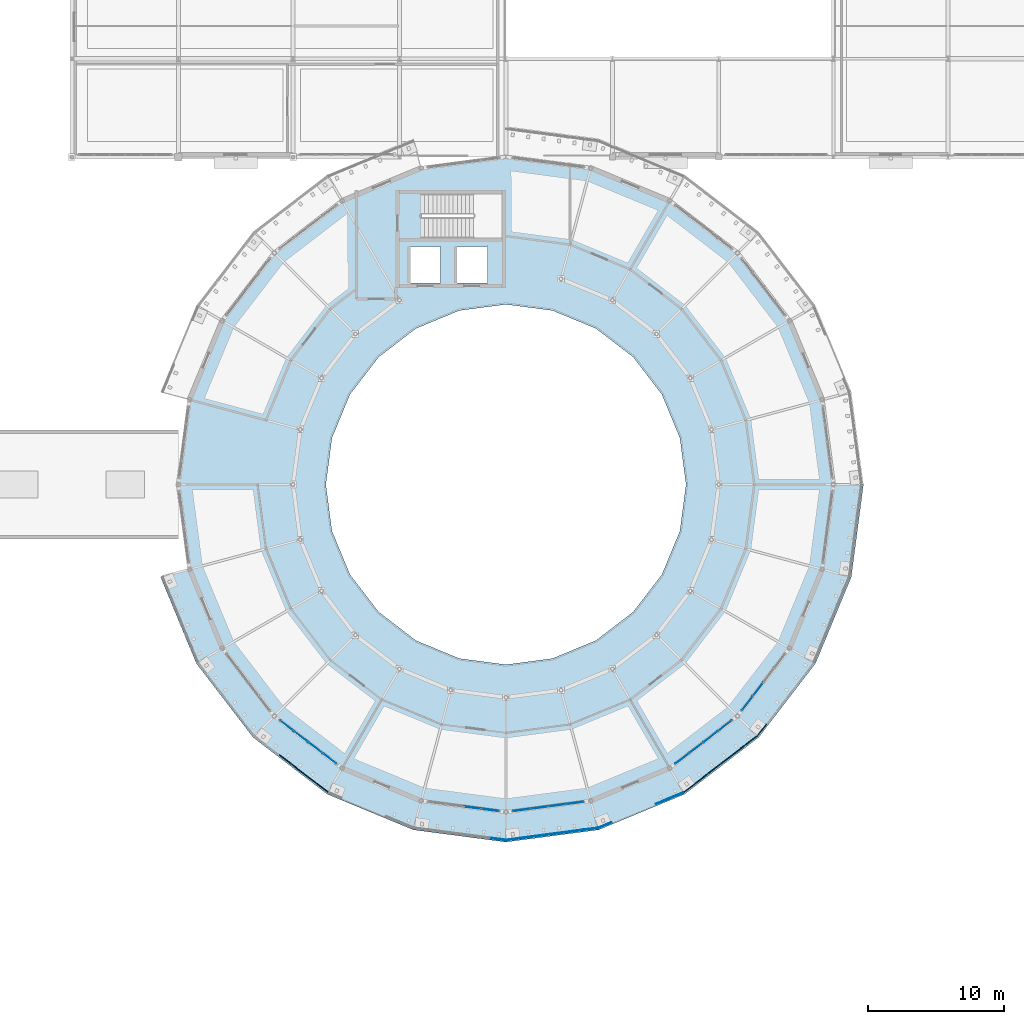
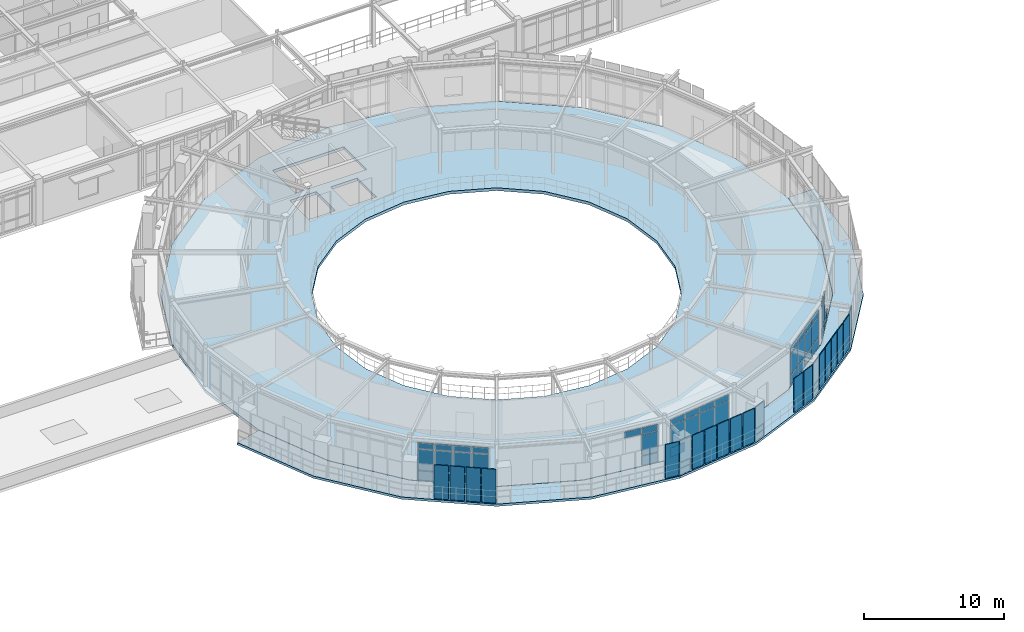
# One storey, part 43 of 70: 65 plates, 3 slabs, 5 elements without a shape of their own.
"""IFC4 building model written with IfcOpenShell, lengths in metres."""

import ifcopenshell
import ifcopenshell.guid

model = None  # the IFC model being written
_history = None  # IfcOwnerHistory: only IFC2X3 demands one
_inside = {}  # id of a spatial element -> (the spatial element, [elements in it])
_under = {}  # id of a project, library or spatial element -> (it, [spatial elements below it])
_declared = {}  # id of a project -> (the project, [libraries it declares])
_typed = {}  # id of a type object -> (the type object, [elements of that type])
_made_of = {}  # id of a material, layer set ... -> (it, [elements and type objects made of it])


def new_model(schema):
    """Start an empty IFC model of exactly this schema.

    Asked for "IFC4X3", IfcOpenShell would pick the latest addendum, in which some entities
    have other attributes; the version numbers below select the first issue.
    IFC2X3 requires an IfcOwnerHistory on every rooted entity: one is made here for all.
    """
    global model, _history
    if schema == "IFC4X3":
        model = ifcopenshell.file(schema_version=(4, 3, 0, 0))
    else:
        model = ifcopenshell.file(schema=schema)
    _inside.clear()
    _under.clear()
    _declared.clear()
    _typed.clear()
    _made_of.clear()
    _history = None
    if model.schema == "IFC2X3":
        org = make("IfcOrganization", Name="unknown")
        user = make(
            "IfcPersonAndOrganization",
            ThePerson=make("IfcPerson", FamilyName="unknown"),
            TheOrganization=org,
        )
        app = make(
            "IfcApplication",
            ApplicationDeveloper=org,
            Version="unknown",
            ApplicationFullName="unknown",
            ApplicationIdentifier="unknown",
        )
        _history = make(
            "IfcOwnerHistory",
            OwningUser=user,
            OwningApplication=app,
            ChangeAction="ADDED",
            CreationDate=0,
        )
    return model


def make(cls, **values):
    """One entity of the class cls with the attributes given. An attribute that is None is left unset."""
    return model.create_entity(
        cls, **{name: value for name, value in values.items() if value is not None}
    )


def rooted(cls, **values):
    """An entity with a GlobalId (a new one), such as an element, a storey or a relation."""
    return make(cls, GlobalId=ifcopenshell.guid.new(), OwnerHistory=_history, **values)


def si_unit(unit_type, name, prefix=None):
    """IfcSIUnit, for example si_unit("LENGTHUNIT", "METRE", prefix="MILLI")."""
    return make("IfcSIUnit", UnitType=unit_type, Prefix=prefix, Name=name)


def derived_unit(unit_type, elements):
    """IfcDerivedUnit: a product of units, each with its exponent."""
    return make(
        "IfcDerivedUnit",
        Elements=[
            make("IfcDerivedUnitElement", Unit=unit, Exponent=power)
            for unit, power in elements
        ],
        UnitType=unit_type,
    )


def assignment(units):
    """IfcUnitAssignment: the units of a project."""
    return None if units is None else make("IfcUnitAssignment", Units=units)


def point(xyz):
    """IfcCartesianPoint."""
    return None if xyz is None else make("IfcCartesianPoint", Coordinates=xyz)


def direction(xyz):
    """IfcDirection."""
    return None if xyz is None else make("IfcDirection", DirectionRatios=xyz)


def frame(location, z_axis=None, x_axis=None):
    """IfcAxis2Placement3D, a coordinate frame: its origin and axes. An axis left out is left unset."""
    return make(
        "IfcAxis2Placement3D",
        Location=point(location),
        Axis=direction(z_axis),
        RefDirection=direction(x_axis),
    )


def frame_2d(location, x_axis=None):
    """IfcAxis2Placement2D, a coordinate frame in the plane: its origin and x axis."""
    return make(
        "IfcAxis2Placement2D", Location=point(location), RefDirection=direction(x_axis)
    )


def origin():
    """The frame at (0, 0, 0) with its axes left unset."""
    return frame((0.0, 0.0, 0.0))


def origin_2d():
    """The frame at (0, 0) in the plane with its x axis left unset."""
    return frame_2d((0.0, 0.0))


def place(relative_to, where):
    """IfcLocalPlacement: puts the frame where relative to a parent placement (None: the world)."""
    return make(
        "IfcLocalPlacement", PlacementRelTo=relative_to, RelativePlacement=where
    )


def context(
    kind, dimensions, precision=None, world=None, true_north=None, identifier=None
):
    """IfcGeometricRepresentationContext, for example the 3D "Model" context."""
    return make(
        "IfcGeometricRepresentationContext",
        ContextIdentifier=identifier,
        ContextType=kind,
        CoordinateSpaceDimension=dimensions,
        Precision=precision,
        WorldCoordinateSystem=world,
        TrueNorth=true_north,
    )


def subcontext(parent, identifier, kind, view, scale=None):
    """IfcGeometricRepresentationSubContext, for example "Body" below "Model"."""
    return make(
        "IfcGeometricRepresentationSubContext",
        ContextIdentifier=identifier,
        ContextType=kind,
        ParentContext=parent,
        TargetScale=scale,
        TargetView=view,
    )


def project(units=None, contexts=None):
    """IfcProject with its units and contexts."""
    return rooted(
        "IfcProject",
        Name="project",
        RepresentationContexts=contexts,
        UnitsInContext=assignment(units),
    )


def spatial(cls, under=None, at=None, **own):
    """A site, building, storey or space (cls), placed at a placement, below another one or the project."""
    s = rooted(cls, ObjectPlacement=at, **own)
    if under is not None:
        _under.setdefault(under.id(), (under, []))[1].append(s)
    return s


def polyline(points):
    """IfcPolyline through the points."""
    return make("IfcPolyline", Points=[point(p) for p in points])


def profile(cls, at=None, kind="AREA", **sizes):
    """A parametric profile (cls). Its sizes go by their IFC names, for example OverallWidth=200.0."""
    return make(cls, ProfileType=kind, Position=at, **sizes)


def rectangle(**sizes):
    """IfcRectangleProfileDef."""
    return profile("IfcRectangleProfileDef", **sizes)


def outline(outer, holes=None, kind="AREA"):
    """IfcArbitraryClosedProfileDef: a profile drawn as a closed curve; with holes, ...WithVoids."""
    if holes is None:
        return make("IfcArbitraryClosedProfileDef", ProfileType=kind, OuterCurve=outer)
    return make(
        "IfcArbitraryProfileDefWithVoids",
        ProfileType=kind,
        OuterCurve=outer,
        InnerCurves=holes,
    )


def extrude(swept, where, along, depth):
    """IfcExtrudedAreaSolid: the profile swept, set in the frame where, extruded along a direction by depth."""
    return make(
        "IfcExtrudedAreaSolid",
        SweptArea=swept,
        Position=where,
        ExtrudedDirection=direction(along),
        Depth=depth,
    )


def shape(context_of_items, identifier, shape_type, items):
    """IfcShapeRepresentation: the items that make up one representation, for example the "Body"."""
    return make(
        "IfcShapeRepresentation",
        ContextOfItems=context_of_items,
        RepresentationIdentifier=identifier,
        RepresentationType=shape_type,
        Items=items,
    )


def material(Name=None, Category=None):
    """IfcMaterial."""
    return make("IfcMaterial", Name=Name, Category=Category)


def layer(
    of_material, thickness, ventilated=None, Name=None, Category=None, Priority=None
):
    """IfcMaterialLayer: one layer of a wall or slab, of a material (None: an air gap)."""
    return make(
        "IfcMaterialLayer",
        Material=of_material,
        LayerThickness=thickness,
        IsVentilated=ventilated,
        Name=Name,
        Category=Category,
        Priority=Priority,
    )


def layer_set(layers, Name=None):
    """IfcMaterialLayerSet."""
    return make("IfcMaterialLayerSet", MaterialLayers=layers, LayerSetName=Name)


def made_of(thing, what):
    """Note that an element or type object is made of a material, layer set ...; save() writes the relation."""
    if what is not None:
        _made_of.setdefault(what.id(), (what, []))[1].append(thing)
    return thing


def type_object(cls, material=None, **own):
    """A type object (cls), such as IfcWallType, which elements share."""
    return made_of(rooted(cls, **own), material)


def element(
    cls,
    number,
    at=None,
    inside=None,
    cuts=None,
    type_object=None,
    material=None,
    context=None,
    identifier="Body",
    shape_type=None,
    held_by="IfcProductDefinitionShape",
    body=None,
    shapes=None,
    **own,
):
    """One element of the class cls, such as IfcWall. Its Tag is "e" and its number.

    at: its placement. inside: the storey or other place that contains it. cuts: it is an
    opening in that element (IfcRelVoidsElement). A single representation is given by context,
    identifier, shape_type and body (its items); several are given by shapes. held_by: the class
    of the entity that holds the representations. save() writes the other relations.
    """
    e = rooted(cls, Tag="e%d" % number, ObjectPlacement=at, **own)
    if body is not None:
        shapes = [shape(context, identifier, shape_type, body)]
    if shapes is not None:
        e.Representation = make(held_by, Representations=shapes)
    if inside is not None:
        _inside.setdefault(inside.id(), (inside, []))[1].append(e)
    if cuts is not None:
        rooted(
            "IfcRelVoidsElement", RelatingBuildingElement=cuts, RelatedOpeningElement=e
        )
    if type_object is not None:
        _typed.setdefault(type_object.id(), (type_object, []))[1].append(e)
    return made_of(e, material)


def aggregate(whole, parts):
    """IfcRelAggregates: a whole, such as a stair, and the parts it consists of."""
    return rooted("IfcRelAggregates", RelatingObject=whole, RelatedObjects=parts)


def save(model, path):
    """Write the relations noted so far, then the file.

    IfcRelAggregates (storeys below a building ...), IfcRelContainedInSpatialStructure (elements
    in a storey), IfcRelDefinesByType, IfcRelAssociatesMaterial and IfcRelDeclares: one each for
    every whole, place, type object, material and project.
    """
    for whole, parts in _under.values():
        aggregate(whole, parts)
    for where, things in _inside.values():
        rooted(
            "IfcRelContainedInSpatialStructure",
            RelatedElements=things,
            RelatingStructure=where,
        )
    for kind, things in _typed.values():
        rooted("IfcRelDefinesByType", RelatedObjects=things, RelatingType=kind)
    for what, things in _made_of.values():
        rooted("IfcRelAssociatesMaterial", RelatedObjects=things, RelatingMaterial=what)
    for by, libraries in _declared.values():
        rooted("IfcRelDeclares", RelatingContext=by, RelatedDefinitions=libraries)
    model.write(path)


model = new_model("IFC4")

# Units and contexts
model_context = context("Model", 3, precision=1e-05, world=origin(), true_north=direction((0.0, 1.0)))
body_context = subcontext(model_context, "Body", "Model", "MODEL_VIEW")
ifc_project = project(units=[si_unit("LENGTHUNIT", "METRE"), si_unit("AREAUNIT", "SQUARE_METRE"), si_unit("VOLUMEUNIT", "CUBIC_METRE"), si_unit("PLANEANGLEUNIT", "RADIAN"), si_unit("MASSUNIT", "GRAM", prefix="KILO"), derived_unit("THERMALTRANSMITTANCEUNIT", [(si_unit("POWERUNIT", "WATT"), 1), (si_unit("AREAUNIT", "SQUARE_METRE"), -1), (si_unit("THERMODYNAMICTEMPERATUREUNIT", "KELVIN"), -1)])], contexts=[model_context])

# Site, building, storey
site_placement = place(None, origin())
site = spatial("IfcSite", under=ifc_project, at=site_placement, CompositionType="ELEMENT")
building_placement = place(site_placement, origin())
building = spatial("IfcBuilding", under=site, at=building_placement, Name="Yasenodar Specialist Clinic", CompositionType="ELEMENT")
storey_placement = place(building_placement, frame((0.0, 0.0, 13.199951171875)))
storey = spatial("IfcBuildingStorey", under=building, at=storey_placement, Name="L03", CompositionType="ELEMENT", Elevation=13.199951171875)

# Curtain wall, plates
ifc_material_1 = material(Name="Bronze Anodized Aluminium and Triple Low-E Glass", Category="aluminium")
ifc_layer_1 = layer(ifc_material_1, 0.1669921875)
ifc_layer_set_1 = layer_set([ifc_layer_1], Name="Bronze Anodized Aluminium and Triple Low-E Glass")
curtain_wall_type = type_object("IfcCurtainWallType", Name="CW-SYS-01", PredefinedType="USERDEFINED", material=ifc_layer_set_1)
curtain_wall_1_placement = place(storey_placement, origin())
curtain_wall_1 = element("IfcCurtainWall", 1, at=curtain_wall_1_placement, inside=storey, type_object=curtain_wall_type, Name="L03 Unitised Curtain Wall 052", ObjectType="UNITISED CURTAIN WALL", PredefinedType="USERDEFINED")
ifc_material_2 = material(Name="Triple Low-E Argon Glazing", Category="glass")
ifc_layer_2 = layer(ifc_material_2, 0.028076171875)
ifc_layer_set_2 = layer_set([ifc_layer_2], Name="Triple Low-E Argon Glazing")
plate_type_1 = type_object("IfcPlateType", Name="CW-PAN-1", PredefinedType="CURTAIN_PANEL", material=ifc_layer_set_2)
plate_1_placement = place(storey_placement, frame((86.0634765625, 35.466552734375, 0.06005859375), z_axis=(0.0, 0.0, 1.0), x_axis=(-0.991446787601, -0.13051156024, 0.0)))
plate_1 = element("IfcPlate", 2, at=plate_1_placement, type_object=plate_type_1, Name="CW-01 panel 1.1", PredefinedType="CURTAIN_PANEL", context=body_context, shape_type="SweptSolid", body=[
    extrude(rectangle(XDim=1.236328125, YDim=0.028076171875, at=origin_2d()), origin(), (0.0, 0.0, 1.0), 0.81005859375),
])
plate_2_placement = place(storey_placement, frame((86.0634765625, 35.466552734375, 0.93017578125), z_axis=(0.0, 0.0, 1.0), x_axis=(-0.991446787601, -0.13051156024, 0.0)))
plate_2 = element("IfcPlate", 3, at=plate_2_placement, type_object=plate_type_1, Name="CW-01 panel 1.2", PredefinedType="CURTAIN_PANEL", context=body_context, shape_type="SweptSolid", body=[
    extrude(rectangle(XDim=1.236328125, YDim=0.028076171875, at=origin_2d()), origin(), (0.0, 0.0, 1.0), 1.827880859375),
])
plate_3_placement = place(storey_placement, frame((86.0634765625, 35.466552734375, 2.81787109375), z_axis=(0.0, 0.0, 1.0), x_axis=(-0.991446787601, -0.13051156024, 0.0)))
plate_3 = element("IfcPlate", 4, at=plate_3_placement, type_object=plate_type_1, Name="CW-01 panel 1.3", PredefinedType="CURTAIN_PANEL", context=body_context, shape_type="SweptSolid", body=[
    extrude(rectangle(XDim=1.236328125, YDim=0.028076171875, at=origin_2d()), origin(), (0.0, 0.0, 1.0), 0.510009765625),
])
plate_4_placement = place(storey_placement, frame((84.763427734375, 35.29541015625, 0.06005859375), z_axis=(0.0, 0.0, 1.0), x_axis=(-0.991446787601, -0.13051156024, 0.0)))
plate_4 = element("IfcPlate", 5, at=plate_4_placement, type_object=plate_type_1, Name="CW-01 panel 2.1", PredefinedType="CURTAIN_PANEL", context=body_context, shape_type="SweptSolid", body=[
    extrude(rectangle(XDim=1.266357421875, YDim=0.028076171875, at=origin_2d()), origin(), (0.0, 0.0, 1.0), 0.81005859375),
])
plate_5_placement = place(storey_placement, frame((84.763427734375, 35.29541015625, 0.93017578125), z_axis=(0.0, 0.0, 1.0), x_axis=(-0.991446787601, -0.13051156024, 0.0)))
plate_5 = element("IfcPlate", 6, at=plate_5_placement, type_object=plate_type_1, Name="CW-01 panel 2.2", PredefinedType="CURTAIN_PANEL", context=body_context, shape_type="SweptSolid", body=[
    extrude(rectangle(XDim=1.266357421875, YDim=0.028076171875, at=origin_2d()), origin(), (0.0, 0.0, 1.0), 1.827880859375),
])
plate_6_placement = place(storey_placement, frame((84.763427734375, 35.29541015625, 2.81787109375), z_axis=(0.0, 0.0, 1.0), x_axis=(-0.991446787601, -0.13051156024, 0.0)))
plate_6 = element("IfcPlate", 7, at=plate_6_placement, type_object=plate_type_1, Name="CW-01 panel 2.3", PredefinedType="CURTAIN_PANEL", context=body_context, shape_type="SweptSolid", body=[
    extrude(rectangle(XDim=1.266357421875, YDim=0.028076171875, at=origin_2d()), origin(), (0.0, 0.0, 1.0), 0.510009765625),
])
plate_7_placement = place(storey_placement, frame((83.4482421875, 35.122314453125, 0.06005859375), z_axis=(0.0, 0.0, 1.0), x_axis=(-0.991446787601, -0.13051156024, 0.0)))
plate_7 = element("IfcPlate", 8, at=plate_7_placement, type_object=plate_type_1, Name="CW-01 panel 3.1", PredefinedType="CURTAIN_PANEL", context=body_context, shape_type="SweptSolid", body=[
    extrude(rectangle(XDim=1.266357421875, YDim=0.028076171875, at=origin_2d()), origin(), (0.0, 0.0, 1.0), 0.81005859375),
])
plate_8_placement = place(storey_placement, frame((83.4482421875, 35.122314453125, 0.93017578125), z_axis=(0.0, 0.0, 1.0), x_axis=(-0.991446787601, -0.13051156024, 0.0)))
plate_8 = element("IfcPlate", 9, at=plate_8_placement, type_object=plate_type_1, Name="CW-01 panel 3.2", PredefinedType="CURTAIN_PANEL", context=body_context, shape_type="SweptSolid", body=[
    extrude(rectangle(XDim=1.266357421875, YDim=0.028076171875, at=origin_2d()), origin(), (0.0, 0.0, 1.0), 1.827880859375),
])
plate_9_placement = place(storey_placement, frame((83.4482421875, 35.122314453125, 2.81787109375), z_axis=(0.0, 0.0, 1.0), x_axis=(-0.991446787601, -0.13051156024, 0.0)))
plate_9 = element("IfcPlate", 10, at=plate_9_placement, type_object=plate_type_1, Name="CW-01 panel 3.3", PredefinedType="CURTAIN_PANEL", context=body_context, shape_type="SweptSolid", body=[
    extrude(rectangle(XDim=1.266357421875, YDim=0.028076171875, at=origin_2d()), origin(), (0.0, 0.0, 1.0), 0.510009765625),
])
plate_10_placement = place(storey_placement, frame((82.148193359375, 34.951171875, 0.06005859375), z_axis=(0.0, 0.0, 1.0), x_axis=(-0.991446787601, -0.13051156024, 0.0)))
plate_10 = element("IfcPlate", 11, at=plate_10_placement, type_object=plate_type_1, Name="CW-01 panel 4.1", PredefinedType="CURTAIN_PANEL", context=body_context, shape_type="SweptSolid", body=[
    extrude(rectangle(XDim=1.236328125, YDim=0.028076171875, at=origin_2d()), origin(), (0.0, 0.0, 1.0), 0.81005859375),
])
plate_11_placement = place(storey_placement, frame((82.148193359375, 34.951171875, 0.93017578125), z_axis=(0.0, 0.0, 1.0), x_axis=(-0.991446787601, -0.13051156024, 0.0)))
plate_11 = element("IfcPlate", 12, at=plate_11_placement, type_object=plate_type_1, Name="CW-01 panel 4.2", PredefinedType="CURTAIN_PANEL", context=body_context, shape_type="SweptSolid", body=[
    extrude(rectangle(XDim=1.236328125, YDim=0.028076171875, at=origin_2d()), origin(), (0.0, 0.0, 1.0), 1.827880859375),
])
plate_12_placement = place(storey_placement, frame((82.148193359375, 34.951171875, 2.81787109375), z_axis=(0.0, 0.0, 1.0), x_axis=(-0.991446787601, -0.13051156024, 0.0)))
plate_12 = element("IfcPlate", 13, at=plate_12_placement, type_object=plate_type_1, Name="CW-01 panel 4.3", PredefinedType="CURTAIN_PANEL", context=body_context, shape_type="SweptSolid", body=[
    extrude(rectangle(XDim=1.236328125, YDim=0.028076171875, at=origin_2d()), origin(), (0.0, 0.0, 1.0), 0.510009765625),
])
aggregate(curtain_wall_1, [plate_1, plate_2, plate_3, plate_4, plate_5, plate_6, plate_7, plate_8, plate_9, plate_10, plate_11, plate_12])

curtain_wall_2_placement = place(storey_placement, origin())
curtain_wall_2 = element("IfcCurtainWall", 14, at=curtain_wall_2_placement, inside=storey, type_object=curtain_wall_type, Name="L03 Unitised Curtain Wall 053", ObjectType="UNITISED CURTAIN WALL", PredefinedType="USERDEFINED")
ifc_layer_3 = layer(ifc_material_2, 0.033935546875)
ifc_layer_set_3 = layer_set([ifc_layer_3], Name="Triple Low-E Argon Glazing")
plate_type_2 = type_object("IfcPlateType", Name="CW-PAN-2", PredefinedType="CURTAIN_PANEL", material=ifc_layer_set_3)
plate_13_placement = place(storey_placement, frame((97.0517578125, 41.124267578125, 0.06005859375), z_axis=(0.0, 0.0, 1.0), x_axis=(-0.793360558574, -0.608752021844, 0.0)))
plate_13 = element("IfcPlate", 15, at=plate_13_placement, type_object=plate_type_2, Name="CW-01 panel 1.1", PredefinedType="CURTAIN_PANEL", context=body_context, shape_type="SweptSolid", body=[
    extrude(rectangle(XDim=1.236328125, YDim=0.033935546875, at=origin_2d()), origin(), (0.0, 0.0, 1.0), 0.81005859375),
])
plate_14_placement = place(storey_placement, frame((97.0517578125, 41.124267578125, 0.93017578125), z_axis=(0.0, 0.0, 1.0), x_axis=(-0.793360558574, -0.608752021844, 0.0)))
plate_14 = element("IfcPlate", 16, at=plate_14_placement, type_object=plate_type_2, Name="CW-01 panel 1.2", PredefinedType="CURTAIN_PANEL", context=body_context, shape_type="SweptSolid", body=[
    extrude(rectangle(XDim=1.236328125, YDim=0.033935546875, at=origin_2d()), origin(), (0.0, 0.0, 1.0), 1.827880859375),
])
plate_15_placement = place(storey_placement, frame((97.0517578125, 41.124267578125, 2.81787109375), z_axis=(0.0, 0.0, 1.0), x_axis=(-0.793360558574, -0.608752021844, 0.0)))
plate_15 = element("IfcPlate", 17, at=plate_15_placement, type_object=plate_type_2, Name="CW-01 panel 1.3", PredefinedType="CURTAIN_PANEL", context=body_context, shape_type="SweptSolid", body=[
    extrude(rectangle(XDim=1.236328125, YDim=0.033935546875, at=origin_2d()), origin(), (0.0, 0.0, 1.0), 0.510009765625),
])
plate_16_placement = place(storey_placement, frame((96.011474609375, 40.326171875, 0.06005859375), z_axis=(0.0, 0.0, 1.0), x_axis=(-0.793360558574, -0.608752021844, 0.0)))
plate_16 = element("IfcPlate", 18, at=plate_16_placement, type_object=plate_type_2, Name="CW-01 panel 2.1", PredefinedType="CURTAIN_PANEL", context=body_context, shape_type="SweptSolid", body=[
    extrude(rectangle(XDim=1.266357421875, YDim=0.033935546875, at=origin_2d()), origin(), (0.0, 0.0, 1.0), 0.81005859375),
])
plate_17_placement = place(storey_placement, frame((96.011474609375, 40.326171875, 0.93017578125), z_axis=(0.0, 0.0, 1.0), x_axis=(-0.793360558574, -0.608752021844, 0.0)))
plate_17 = element("IfcPlate", 19, at=plate_17_placement, type_object=plate_type_2, Name="CW-01 panel 2.2", PredefinedType="CURTAIN_PANEL", context=body_context, shape_type="SweptSolid", body=[
    extrude(rectangle(XDim=1.266357421875, YDim=0.033935546875, at=origin_2d()), origin(), (0.0, 0.0, 1.0), 1.827880859375),
])
plate_18_placement = place(storey_placement, frame((96.011474609375, 40.326171875, 2.81787109375), z_axis=(0.0, 0.0, 1.0), x_axis=(-0.793360558574, -0.608752021844, 0.0)))
plate_18 = element("IfcPlate", 20, at=plate_18_placement, type_object=plate_type_2, Name="CW-01 panel 2.3", PredefinedType="CURTAIN_PANEL", context=body_context, shape_type="SweptSolid", body=[
    extrude(rectangle(XDim=1.266357421875, YDim=0.033935546875, at=origin_2d()), origin(), (0.0, 0.0, 1.0), 0.510009765625),
])
plate_19_placement = place(storey_placement, frame((94.959228515625, 39.518798828125, 0.06005859375), z_axis=(0.0, 0.0, 1.0), x_axis=(-0.793360558574, -0.608752021844, 0.0)))
plate_19 = element("IfcPlate", 21, at=plate_19_placement, type_object=plate_type_2, Name="CW-01 panel 3.1", PredefinedType="CURTAIN_PANEL", context=body_context, shape_type="SweptSolid", body=[
    extrude(rectangle(XDim=1.266357421875, YDim=0.033935546875, at=origin_2d()), origin(), (0.0, 0.0, 1.0), 0.81005859375),
])
plate_20_placement = place(storey_placement, frame((94.959228515625, 39.518798828125, 0.93017578125), z_axis=(0.0, 0.0, 1.0), x_axis=(-0.793360558574, -0.608752021844, 0.0)))
plate_20 = element("IfcPlate", 22, at=plate_20_placement, type_object=plate_type_2, Name="CW-01 panel 3.2", PredefinedType="CURTAIN_PANEL", context=body_context, shape_type="SweptSolid", body=[
    extrude(rectangle(XDim=1.266357421875, YDim=0.033935546875, at=origin_2d()), origin(), (0.0, 0.0, 1.0), 1.827880859375),
])
plate_21_placement = place(storey_placement, frame((94.959228515625, 39.518798828125, 2.81787109375), z_axis=(0.0, 0.0, 1.0), x_axis=(-0.793360558574, -0.608752021844, 0.0)))
plate_21 = element("IfcPlate", 23, at=plate_21_placement, type_object=plate_type_2, Name="CW-01 panel 3.3", PredefinedType="CURTAIN_PANEL", context=body_context, shape_type="SweptSolid", body=[
    extrude(rectangle(XDim=1.266357421875, YDim=0.033935546875, at=origin_2d()), origin(), (0.0, 0.0, 1.0), 0.510009765625),
])
plate_22_placement = place(storey_placement, frame((93.9189453125, 38.720458984375, 0.06005859375), z_axis=(0.0, 0.0, 1.0), x_axis=(-0.793360558574, -0.608752021844, 0.0)))
plate_22 = element("IfcPlate", 24, at=plate_22_placement, type_object=plate_type_2, Name="CW-01 panel 4.1", PredefinedType="CURTAIN_PANEL", context=body_context, shape_type="SweptSolid", body=[
    extrude(rectangle(XDim=1.236328125, YDim=0.033935546875, at=origin_2d()), origin(), (0.0, 0.0, 1.0), 0.81005859375),
])
plate_23_placement = place(storey_placement, frame((93.9189453125, 38.720458984375, 0.93017578125), z_axis=(0.0, 0.0, 1.0), x_axis=(-0.793360558574, -0.608752021844, 0.0)))
plate_23 = element("IfcPlate", 25, at=plate_23_placement, type_object=plate_type_2, Name="CW-01 panel 4.2", PredefinedType="CURTAIN_PANEL", context=body_context, shape_type="SweptSolid", body=[
    extrude(rectangle(XDim=1.236328125, YDim=0.033935546875, at=origin_2d()), origin(), (0.0, 0.0, 1.0), 1.827880859375),
])
plate_24_placement = place(storey_placement, frame((93.9189453125, 38.720458984375, 2.81787109375), z_axis=(0.0, 0.0, 1.0), x_axis=(-0.793360558574, -0.608752021844, 0.0)))
plate_24 = element("IfcPlate", 26, at=plate_24_placement, type_object=plate_type_2, Name="CW-01 panel 4.3", PredefinedType="CURTAIN_PANEL", context=body_context, shape_type="SweptSolid", body=[
    extrude(rectangle(XDim=1.236328125, YDim=0.033935546875, at=origin_2d()), origin(), (0.0, 0.0, 1.0), 0.510009765625),
])
aggregate(curtain_wall_2, [plate_13, plate_14, plate_15, plate_16, plate_17, plate_18, plate_19, plate_20, plate_21, plate_22, plate_23, plate_24])

curtain_wall_3_placement = place(storey_placement, origin())
curtain_wall_3 = element("IfcCurtainWall", 27, at=curtain_wall_3_placement, inside=storey, type_object=curtain_wall_type, Name="L03 Unitised Curtain Wall 050", ObjectType="UNITISED CURTAIN WALL", PredefinedType="USERDEFINED")
ifc_layer_4 = layer(ifc_material_2, 0.0400390625)
ifc_layer_set_4 = layer_set([ifc_layer_4], Name="Triple Low-E Argon Glazing")
plate_type_3 = type_object("IfcPlateType", Name="CW-PAN-3", PredefinedType="CURTAIN_PANEL", material=ifc_layer_set_4)
plate_25_placement = place(storey_placement, frame((68.078125, 38.72265625, 0.074951171875), z_axis=(0.0, 0.0, 1.0), x_axis=(-0.793360558574, 0.608752021844, 0.0)))
plate_25 = element("IfcPlate", 28, at=plate_25_placement, type_object=plate_type_3, Name="CW-01 panel 1.1", PredefinedType="CURTAIN_PANEL", context=body_context, shape_type="SweptSolid", body=[
    extrude(rectangle(XDim=1.2138671875, YDim=0.0400390625, at=origin_2d()), origin(), (0.0, 0.0, 1.0), 0.78759765625),
])
plate_26_placement = place(storey_placement, frame((68.078125, 38.72265625, 0.9375), z_axis=(0.0, 0.0, 1.0), x_axis=(-0.793360558574, 0.608752021844, 0.0)))
plate_26 = element("IfcPlate", 29, at=plate_26_placement, type_object=plate_type_3, Name="CW-01 panel 1.2", PredefinedType="CURTAIN_PANEL", context=body_context, shape_type="SweptSolid", body=[
    extrude(rectangle(XDim=1.2138671875, YDim=0.0400390625, at=origin_2d()), origin(), (0.0, 0.0, 1.0), 1.81298828125),
])
plate_27_placement = place(storey_placement, frame((68.078125, 38.72265625, 2.82568359375), z_axis=(0.0, 0.0, 1.0), x_axis=(-0.793360558574, 0.608752021844, 0.0)))
plate_27 = element("IfcPlate", 30, at=plate_27_placement, type_object=plate_type_3, Name="CW-01 panel 1.3", PredefinedType="CURTAIN_PANEL", context=body_context, shape_type="SweptSolid", body=[
    extrude(rectangle(XDim=1.2138671875, YDim=0.0400390625, at=origin_2d()), origin(), (0.0, 0.0, 1.0), 0.487548828125),
])
plate_28_placement = place(storey_placement, frame((67.040771484375, 39.518798828125, 0.074951171875), z_axis=(0.0, 0.0, 1.0), x_axis=(-0.793360558574, 0.608752021844, 0.0)))
plate_28 = element("IfcPlate", 31, at=plate_28_placement, type_object=plate_type_3, Name="CW-01 panel 2.1", PredefinedType="CURTAIN_PANEL", context=body_context, shape_type="SweptSolid", body=[
    extrude(rectangle(XDim=1.251220703125, YDim=0.0400390625, at=origin_2d()), origin(), (0.0, 0.0, 1.0), 0.78759765625),
])
plate_29_placement = place(storey_placement, frame((67.040771484375, 39.518798828125, 0.9375), z_axis=(0.0, 0.0, 1.0), x_axis=(-0.793360558574, 0.608752021844, 0.0)))
plate_29 = element("IfcPlate", 32, at=plate_29_placement, type_object=plate_type_3, Name="CW-01 panel 2.2", PredefinedType="CURTAIN_PANEL", context=body_context, shape_type="SweptSolid", body=[
    extrude(rectangle(XDim=1.251220703125, YDim=0.0400390625, at=origin_2d()), origin(), (0.0, 0.0, 1.0), 1.81298828125),
])
plate_30_placement = place(storey_placement, frame((67.040771484375, 39.518798828125, 2.82568359375), z_axis=(0.0, 0.0, 1.0), x_axis=(-0.793360558574, 0.608752021844, 0.0)))
plate_30 = element("IfcPlate", 33, at=plate_30_placement, type_object=plate_type_3, Name="CW-01 panel 2.3", PredefinedType="CURTAIN_PANEL", context=body_context, shape_type="SweptSolid", body=[
    extrude(rectangle(XDim=1.251220703125, YDim=0.0400390625, at=origin_2d()), origin(), (0.0, 0.0, 1.0), 0.487548828125),
])
plate_31_placement = place(storey_placement, frame((65.988525390625, 40.326171875, 0.074951171875), z_axis=(0.0, 0.0, 1.0), x_axis=(-0.793360558574, 0.608752021844, 0.0)))
plate_31 = element("IfcPlate", 34, at=plate_31_placement, type_object=plate_type_3, Name="CW-01 panel 3.1", PredefinedType="CURTAIN_PANEL", context=body_context, shape_type="SweptSolid", body=[
    extrude(rectangle(XDim=1.251220703125, YDim=0.0400390625, at=origin_2d()), origin(), (0.0, 0.0, 1.0), 0.78759765625),
])
plate_32_placement = place(storey_placement, frame((65.988525390625, 40.326171875, 0.9375), z_axis=(0.0, 0.0, 1.0), x_axis=(-0.793360558574, 0.608752021844, 0.0)))
plate_32 = element("IfcPlate", 35, at=plate_32_placement, type_object=plate_type_3, Name="CW-01 panel 3.2", PredefinedType="CURTAIN_PANEL", context=body_context, shape_type="SweptSolid", body=[
    extrude(rectangle(XDim=1.251220703125, YDim=0.0400390625, at=origin_2d()), origin(), (0.0, 0.0, 1.0), 1.81298828125),
])
plate_33_placement = place(storey_placement, frame((65.988525390625, 40.326171875, 2.82568359375), z_axis=(0.0, 0.0, 1.0), x_axis=(-0.793360558574, 0.608752021844, 0.0)))
plate_33 = element("IfcPlate", 36, at=plate_33_placement, type_object=plate_type_3, Name="CW-01 panel 3.3", PredefinedType="CURTAIN_PANEL", context=body_context, shape_type="SweptSolid", body=[
    extrude(rectangle(XDim=1.251220703125, YDim=0.0400390625, at=origin_2d()), origin(), (0.0, 0.0, 1.0), 0.487548828125),
])
plate_34_placement = place(storey_placement, frame((64.951171875, 41.1220703125, 0.074951171875), z_axis=(0.0, 0.0, 1.0), x_axis=(-0.793360558574, 0.608752021844, 0.0)))
plate_34 = element("IfcPlate", 37, at=plate_34_placement, type_object=plate_type_3, Name="CW-01 panel 4.1", PredefinedType="CURTAIN_PANEL", context=body_context, shape_type="SweptSolid", body=[
    extrude(rectangle(XDim=1.2138671875, YDim=0.0400390625, at=origin_2d()), origin(), (0.0, 0.0, 1.0), 0.78759765625),
])
plate_35_placement = place(storey_placement, frame((64.951171875, 41.1220703125, 0.9375), z_axis=(0.0, 0.0, 1.0), x_axis=(-0.793360558574, 0.608752021844, 0.0)))
plate_35 = element("IfcPlate", 38, at=plate_35_placement, type_object=plate_type_3, Name="CW-01 panel 4.2", PredefinedType="CURTAIN_PANEL", context=body_context, shape_type="SweptSolid", body=[
    extrude(rectangle(XDim=1.2138671875, YDim=0.0400390625, at=origin_2d()), origin(), (0.0, 0.0, 1.0), 1.81298828125),
])
plate_36_placement = place(storey_placement, frame((64.951171875, 41.1220703125, 2.82568359375), z_axis=(0.0, 0.0, 1.0), x_axis=(-0.793360558574, 0.608752021844, 0.0)))
plate_36 = element("IfcPlate", 39, at=plate_36_placement, type_object=plate_type_3, Name="CW-01 panel 4.3", PredefinedType="CURTAIN_PANEL", context=body_context, shape_type="SweptSolid", body=[
    extrude(rectangle(XDim=1.2138671875, YDim=0.0400390625, at=origin_2d()), origin(), (0.0, 0.0, 1.0), 0.487548828125),
])
aggregate(curtain_wall_3, [plate_25, plate_26, plate_27, plate_28, plate_29, plate_30, plate_31, plate_32, plate_33, plate_34, plate_35, plate_36])

curtain_wall_4_placement = place(storey_placement, origin())
curtain_wall_4 = element("IfcCurtainWall", 40, at=curtain_wall_4_placement, inside=storey, type_object=curtain_wall_type, Name="L03 Unitised Curtain Wall 054", ObjectType="UNITISED CURTAIN WALL", PredefinedType="USERDEFINED")
plate_37_placement = place(storey_placement, frame((99.473876953125, 43.78857421875, 0.06005859375), z_axis=(0.0, 0.0, 1.0), x_axis=(-0.608752021844, -0.793360558574, 0.0)))
plate_37 = element("IfcPlate", 41, at=plate_37_placement, type_object=plate_type_3, Name="CW-01 panel 3.1", PredefinedType="CURTAIN_PANEL", context=body_context, shape_type="SweptSolid", body=[
    extrude(rectangle(XDim=1.266357421875, YDim=0.0400390625, at=origin_2d()), origin(), (0.0, 0.0, 1.0), 0.81005859375),
])
plate_38_placement = place(storey_placement, frame((98.675537109375, 42.748291015625, 0.06005859375), z_axis=(0.0, 0.0, 1.0), x_axis=(-0.608752021844, -0.793360558574, 0.0)))
plate_38 = element("IfcPlate", 42, at=plate_38_placement, type_object=plate_type_3, Name="CW-01 panel 4.1", PredefinedType="CURTAIN_PANEL", context=body_context, shape_type="SweptSolid", body=[
    extrude(rectangle(XDim=1.236328125, YDim=0.0400390625, at=origin_2d()), origin(), (0.0, 0.0, 1.0), 0.81005859375),
])
plate_39_placement = place(storey_placement, frame((98.675537109375, 42.748291015625, 0.93017578125), z_axis=(0.0, 0.0, 1.0), x_axis=(-0.608752021844, -0.793360558574, 0.0)))
plate_39 = element("IfcPlate", 43, at=plate_39_placement, type_object=plate_type_3, Name="CW-01 panel 4.2", PredefinedType="CURTAIN_PANEL", context=body_context, shape_type="SweptSolid", body=[
    extrude(rectangle(XDim=1.236328125, YDim=0.0400390625, at=origin_2d()), origin(), (0.0, 0.0, 1.0), 1.827880859375),
])
plate_40_placement = place(storey_placement, frame((98.675537109375, 42.748291015625, 2.81787109375), z_axis=(0.0, 0.0, 1.0), x_axis=(-0.608752021844, -0.793360558574, 0.0)))
plate_40 = element("IfcPlate", 44, at=plate_40_placement, type_object=plate_type_3, Name="CW-01 panel 4.3", PredefinedType="CURTAIN_PANEL", context=body_context, shape_type="SweptSolid", body=[
    extrude(rectangle(XDim=1.236328125, YDim=0.0400390625, at=origin_2d()), origin(), (0.0, 0.0, 1.0), 0.510009765625),
])
aggregate(curtain_wall_4, [plate_37, plate_38, plate_39, plate_40])

curtain_wall_5_placement = place(storey_placement, origin())
curtain_wall_5 = element("IfcCurtainWall", 45, at=curtain_wall_5_placement, inside=storey, type_object=curtain_wall_type, Name="L03 Unitised Curtain Wall 051", ObjectType="UNITISED CURTAIN WALL", PredefinedType="USERDEFINED")
ifc_layer_5 = layer(ifc_material_2, 0.0458984375)
ifc_layer_set_5 = layer_set([ifc_layer_5], Name="Triple Low-E Argon Glazing")
plate_type_4 = type_object("IfcPlateType", Name="CW-PAN-4", PredefinedType="CURTAIN_PANEL", material=ifc_layer_set_5)
plate_41_placement = place(storey_placement, frame((79.851806640625, 34.951171875, 0.06005859375), z_axis=(0.0, 0.0, 1.0), x_axis=(-0.991446787601, 0.13051156024, 0.0)))
plate_41 = element("IfcPlate", 46, at=plate_41_placement, type_object=plate_type_4, Name="CW-01 panel 1.1", PredefinedType="CURTAIN_PANEL", context=body_context, shape_type="SweptSolid", body=[
    extrude(rectangle(XDim=1.236328125, YDim=0.0458984375, at=origin_2d()), origin(), (0.0, 0.0, 1.0), 0.81005859375),
])
plate_42_placement = place(storey_placement, frame((79.851806640625, 34.951171875, 0.93017578125), z_axis=(0.0, 0.0, 1.0), x_axis=(-0.991446787601, 0.13051156024, 0.0)))
plate_42 = element("IfcPlate", 47, at=plate_42_placement, type_object=plate_type_4, Name="CW-01 panel 1.2", PredefinedType="CURTAIN_PANEL", context=body_context, shape_type="SweptSolid", body=[
    extrude(rectangle(XDim=1.236328125, YDim=0.0458984375, at=origin_2d()), origin(), (0.0, 0.0, 1.0), 1.827880859375),
])
plate_43_placement = place(storey_placement, frame((79.851806640625, 34.951171875, 2.81787109375), z_axis=(0.0, 0.0, 1.0), x_axis=(-0.991446787601, 0.13051156024, 0.0)))
plate_43 = element("IfcPlate", 48, at=plate_43_placement, type_object=plate_type_4, Name="CW-01 panel 1.3", PredefinedType="CURTAIN_PANEL", context=body_context, shape_type="SweptSolid", body=[
    extrude(rectangle(XDim=1.236328125, YDim=0.0458984375, at=origin_2d()), origin(), (0.0, 0.0, 1.0), 0.510009765625),
])
plate_44_placement = place(storey_placement, frame((78.5517578125, 35.122314453125, 2.81787109375), z_axis=(0.0, 0.0, 1.0), x_axis=(-0.991446787601, 0.13051156024, 0.0)))
plate_44 = element("IfcPlate", 49, at=plate_44_placement, type_object=plate_type_4, Name="CW-01 panel 2.3", PredefinedType="CURTAIN_PANEL", context=body_context, shape_type="SweptSolid", body=[
    extrude(rectangle(XDim=1.266357421875, YDim=0.0458984375, at=origin_2d()), origin(), (0.0, 0.0, 1.0), 0.510009765625),
])
aggregate(curtain_wall_5, [plate_41, plate_42, plate_43, plate_44])

# Plates
ifc_material_3 = material(Name="Thermally Modified Larch and Bronze Girih Jali Screen")
ifc_layer_6 = layer(ifc_material_3, 0.06494140625)
ifc_layer_set_6 = layer_set([ifc_layer_6], Name="Thermally Modified Larch and Bronze Girih Jali Screen")
plate_type_5 = type_object("IfcPlateType", Name="PL-JALI-850", PredefinedType="USERDEFINED", material=ifc_layer_set_6)
for number, where, z_axis, x_axis, name in (
    (50, (64.81982421875, 38.64990234375, 0.0048828125), (0.0, 0.0, 1.0), (0.793351200869, -0.608764217148, 0.0), "L03 Sliding Timber-Bronze Jali Shutter Screen 0285"),
    (51, (65.724365234375, 37.9560546875, 0.0048828125), (0.0, 0.0, 1.0), (0.793351200869, -0.608764217148, 0.0), "L03 Sliding Timber-Bronze Jali Shutter Screen 0286"),
    (52, (66.628662109375, 37.26220703125, 0.0048828125), (0.0, 0.0, 1.0), (0.793351200869, -0.608764217148, 0.0), "L03 Sliding Timber-Bronze Jali Shutter Screen 0287"),
    (53, (67.532958984375, 36.568115234375, 0.0048828125), (0.0, 0.0, 1.0), (0.793351200869, -0.608764217148, 0.0), "L03 Sliding Timber-Bronze Jali Shutter Screen 0288"),
    (54, (80.453125, 32.813232421875, 0.0048828125), (0.0, 0.0, 1.0), (0.991445783754, -0.130519185854, 0.0), "L03 Sliding Timber-Bronze Jali Shutter Screen 0297"),
    (55, (81.546875, 32.813232421875, 0.0048828125), (0.0, 0.0, 1.0), (0.991445783754, 0.130519185854, 0.0), "L03 Sliding Timber-Bronze Jali Shutter Screen 0298"),
    (56, (82.677001953125, 32.9619140625, 0.0048828125), (0.0, 0.0, 1.0), (0.991445783754, 0.130519185854, 0.0), "L03 Sliding Timber-Bronze Jali Shutter Screen 0299"),
    (57, (83.80712890625, 33.11083984375, 0.0048828125), (0.0, 0.0, 1.0), (0.991445783754, 0.130519185854, 0.0), "L03 Sliding Timber-Bronze Jali Shutter Screen 0300"),
    (58, (84.9375, 33.259521484375, 0.0048828125), (0.0, 0.0, 1.0), (0.991445783754, 0.130519185854, 0.0), "L03 Sliding Timber-Bronze Jali Shutter Screen 0301"),
    (59, (86.067626953125, 33.408203125, 0.0048828125), (0.0, 0.0, 1.0), (0.991445783754, 0.130519185854, 0.0), "L03 Sliding Timber-Bronze Jali Shutter Screen 0302"),
    (60, (87.19775390625, 33.55712890625, 0.0048828125), (0.0, 0.0, 1.0), (0.991445783754, 0.130519185854, 0.0), "L03 Sliding Timber-Bronze Jali Shutter Screen 0303"),
    (61, (88.254150390625, 33.840087890625, 0.0048828125), (0.0, 0.0, 1.0), (0.923878192594, 0.382686667195, 0.0), "L03 Sliding Timber-Bronze Jali Shutter Screen 0304"),
    (62, (92.466796875, 35.585205078125, 0.0048828125), (0.0, 0.0, 1.0), (0.923878192594, 0.382686667195, 0.0), "L03 Sliding Timber-Bronze Jali Shutter Screen 0305"),
    (63, (93.519775390625, 36.021240234375, 0.0048828125), (0.0, 0.0, 1.0), (0.923878192594, 0.382686667195, 0.0), "L03 Sliding Timber-Bronze Jali Shutter Screen 0306"),
    (64, (94.467041015625, 36.568115234375, 0.0048828125), (0.0, 0.0, 1.0), (0.793351200869, 0.608764217148, 0.0), "L03 Sliding Timber-Bronze Jali Shutter Screen 0307"),
    (65, (95.371337890625, 37.26220703125, 0.0048828125), (0.0, 0.0, 1.0), (0.793351200869, 0.608764217148, 0.0), "L03 Sliding Timber-Bronze Jali Shutter Screen 0308"),
    (66, (96.275634765625, 37.9560546875, 0.0048828125), (0.0, 0.0, 1.0), (0.793351200869, 0.608764217148, 0.0), "L03 Sliding Timber-Bronze Jali Shutter Screen 0309"),
    (67, (97.18017578125, 38.64990234375, 0.0048828125), (0.0, 0.0, 1.0), (0.793351200869, 0.608764217148, 0.0), "L03 Sliding Timber-Bronze Jali Shutter Screen 0310"),
    (68, (98.08447265625, 39.343994140625, 0.0048828125), (0.0, 0.0, 1.0), (0.793351200869, 0.608764217148, 0.0), "L03 Sliding Timber-Bronze Jali Shutter Screen 0311"),
    (69, (98.98876953125, 40.037841796875, 0.0048828125), (0.0, 0.0, 1.0), (0.793351200869, 0.608764217148, 0.0), "L03 Sliding Timber-Bronze Jali Shutter Screen 0312"),
    (70, (99.76220703125, 40.811279296875, 0.0048828125), (0.0, 0.0, 1.0), (0.608764217148, 0.793351200869, 0.0), "L03 Sliding Timber-Bronze Jali Shutter Screen 0313"),
):
    element("IfcPlate", number, at=place(storey_placement, frame(where, z_axis=z_axis, x_axis=x_axis)), inside=storey, type_object=plate_type_5, Name=name, ObjectType="SCREEN_PANEL", PredefinedType="USERDEFINED", context=body_context, shape_type="SweptSolid", body=[
        extrude(rectangle(XDim=1.0400390625, YDim=0.06494140625, at=origin_2d()), origin(), (0.0, 0.0, 1.0), 2.949951171875),
    ])

# Slabs
ifc_material_4 = material(Name="Concrete C30/37", Category="concrete")
ifc_layer_7 = layer(ifc_material_4, 0.195068359375)
ifc_layer_set_7 = layer_set([ifc_layer_7], Name="Concrete C30/37")
slab_type_1 = type_object("IfcSlabType", Name="SLB-BALC-195", PredefinedType="FLOOR", material=ifc_layer_set_7)
slab_1_placement = place(storey_placement, frame((0.0, 0.0, -0.195068359375)))
element("IfcSlab", 71, at=slab_1_placement, inside=storey, type_object=slab_type_1, Name="L03 Drum V1 Balcony Sector 3", PredefinedType="FLOOR", context=body_context, shape_type="SweptSolid", body=[
    extrude(outline(polyline([(81.0, 32.60009765625), (74.218994140625, 33.49267578125), (67.89990234375, 36.110107421875), (62.473876953125, 40.273681640625), (58.31005859375, 45.699951171875), (55.692626953125, 52.018798828125), (57.80322265625, 52.58447265625), (60.202392578125, 46.79248046875), (64.018798828125, 41.818603515625), (68.992431640625, 38.002197265625), (74.784423828125, 35.603271484375), (81.0, 34.784912109375), (81.0, 32.60009765625)])), origin(), (0.0, 0.0, 1.0), 0.195068359375),
])
slab_2_placement = place(storey_placement, frame((0.0, 0.0, -0.195068359375)))
element("IfcSlab", 72, at=slab_2_placement, inside=storey, type_object=slab_type_1, Name="L03 Drum V1 Balcony Sector 4", PredefinedType="FLOOR", context=body_context, shape_type="SweptSolid", body=[
    extrude(outline(polyline([(106.307373046875, 52.018798828125), (103.68994140625, 45.699951171875), (99.526123046875, 40.273681640625), (94.10009765625, 36.110107421875), (87.781005859375, 33.49267578125), (81.014892578125, 32.60205078125), (81.014892578125, 34.786865234375), (87.215576171875, 35.603271484375), (93.007568359375, 38.002197265625), (97.981201171875, 41.818603515625), (101.797607421875, 46.79248046875), (104.19677734375, 52.58447265625), (105.01318359375, 58.784912109375), (107.197998046875, 58.784912109375), (106.307373046875, 52.018798828125)])), origin(), (0.0, 0.0, 1.0), 0.195068359375),
])
ifc_layer_8 = layer(ifc_material_4, 0.25)
ifc_layer_set_8 = layer_set([ifc_layer_8], Name="Concrete C30/37")
slab_type_2 = type_object("IfcSlabType", Name="SLB-FLR-250", PredefinedType="FLOOR", material=ifc_layer_set_8)
slab_3_placement = place(storey_placement, frame((0.0, 0.0, -0.25)))
element("IfcSlab", 73, at=slab_3_placement, inside=storey, type_object=slab_type_2, Name="L03 V1 structural slab", PredefinedType="FLOOR", context=body_context, shape_type="SweptSolid", body=[
    extrude(outline(polyline([(105.0, 58.800048828125), (104.18212890625, 65.01171875), (101.78466796875, 70.800048828125), (97.970703125, 75.7705078125), (93.0, 79.584716796875), (87.211669921875, 81.982177734375), (81.0, 82.800048828125), (74.788330078125, 81.982177734375), (69.0, 79.584716796875), (64.029296875, 75.7705078125), (60.21533203125, 70.800048828125), (57.81787109375, 65.01171875), (57.0, 58.800048828125), (57.81787109375, 52.58837890625), (60.21533203125, 46.800048828125), (64.029296875, 41.829345703125), (69.0, 38.015380859375), (74.788330078125, 35.617919921875), (81.0, 34.800048828125), (87.211669921875, 35.617919921875), (93.0, 38.015380859375), (97.970703125, 41.829345703125), (101.78466796875, 46.800048828125), (104.18212890625, 52.58837890625), (105.0, 58.800048828125)]), holes=[polyline([(74.830078125, 76.860107421875), (80.719970703125, 76.860107421875), (80.719970703125, 80.110107421875), (74.830078125, 80.110107421875), (74.830078125, 76.860107421875)]), polyline([(74.0, 73.550048828125), (76.199951171875, 73.550048828125), (76.199951171875, 76.25), (74.0, 76.25), (74.0, 73.550048828125)]), polyline([(77.39990234375, 73.550048828125), (79.60009765625, 73.550048828125), (79.60009765625, 76.25), (77.39990234375, 76.25), (77.39990234375, 73.550048828125)]), polyline([(94.199951171875, 58.800048828125), (93.750244140625, 62.21630859375), (92.431396484375, 65.39990234375), (90.333740234375, 68.1337890625), (87.60009765625, 70.2314453125), (84.41650390625, 71.55029296875), (81.0, 72.0), (77.58349609375, 71.55029296875), (74.39990234375, 70.2314453125), (71.666259765625, 68.1337890625), (69.568603515625, 65.39990234375), (68.249755859375, 62.21630859375), (67.800048828125, 58.800048828125), (68.249755859375, 55.383544921875), (69.568603515625, 52.199951171875), (71.666259765625, 49.46630859375), (74.39990234375, 47.368408203125), (77.58349609375, 46.0498046875), (81.0, 45.60009765625), (84.41650390625, 46.0498046875), (87.60009765625, 47.368408203125), (90.333740234375, 49.46630859375), (92.431396484375, 52.199951171875), (93.750244140625, 55.383544921875), (94.199951171875, 58.800048828125)])]), origin(), (0.0, 0.0, 1.0), 0.25),
])

save(model, "model.ifc")
